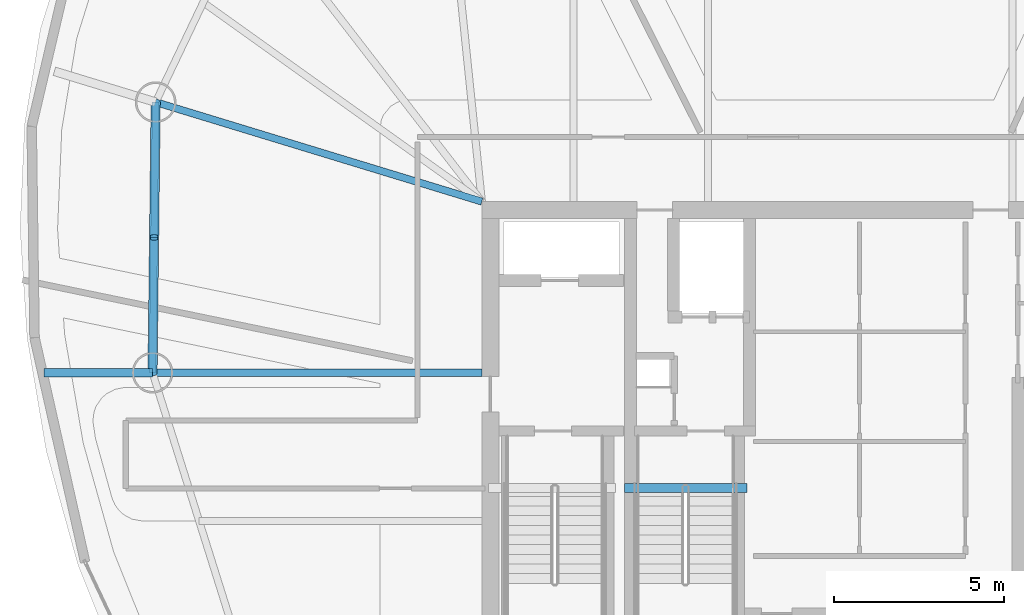
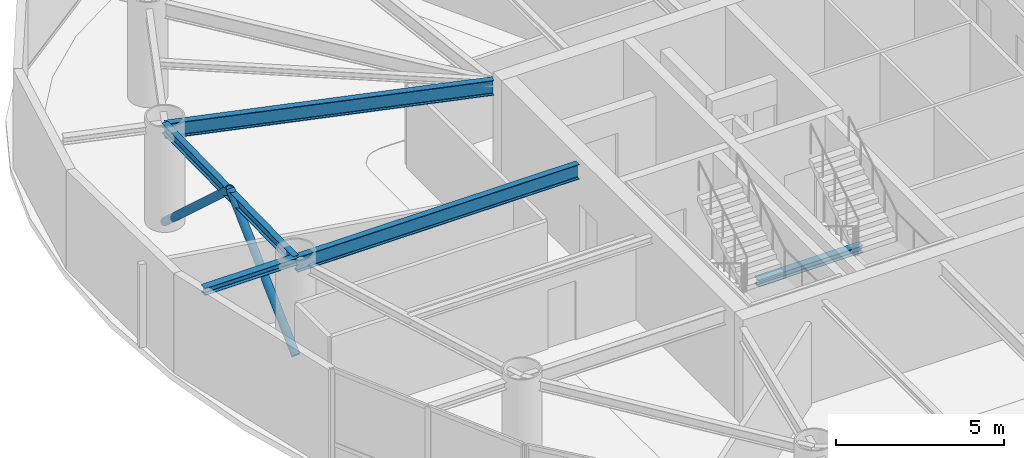
# One storey, part 5 of 20: 5 beams, 2 members.
"""IFC4 building model written with IfcOpenShell, lengths in metres."""

from ifc_helpers import new_model, si_unit, direction, frame, origin, origin_2d, place, context, subcontext, project, spatial, hollow_circle, i_section, extrude, material, material_profile, profile_set, type_object, element, save


model = new_model("IFC4")

# Units and contexts
model_context = context("Model", 3, precision=1e-05, world=origin(), true_north=direction((0.0, 1.0)))
body_context = subcontext(model_context, "Body", "Model", "MODEL_VIEW")
ifc_project = project(units=[si_unit("LENGTHUNIT", "METRE"), si_unit("AREAUNIT", "SQUARE_METRE"), si_unit("VOLUMEUNIT", "CUBIC_METRE"), si_unit("PLANEANGLEUNIT", "RADIAN"), si_unit("MASSUNIT", "GRAM", prefix="KILO")], contexts=[model_context])

# Site, building, storey
site_placement = place(None, origin())
site = spatial("IfcSite", under=ifc_project, at=site_placement, CompositionType="ELEMENT")
building_placement = place(site_placement, origin())
building = spatial("IfcBuilding", under=site, at=building_placement, Name="Bramvorn Convention Spire", CompositionType="ELEMENT")
storey_placement = place(building_placement, frame((0.0, 0.0, 202.0)))
storey = spatial("IfcBuildingStorey", under=building, at=storey_placement, Name="L51", CompositionType="ELEMENT", Elevation=202.0)

# Beams
ifc_material = material(Name="Steel CSA G40.21 Grade 350 (350W)", Category="steel")
ifc_material_profile_1 = material_profile(ifc_material, i_section(OverallWidth=0.25390625, OverallDepth=0.2529296875, WebThickness=0.008544921875, FlangeThickness=0.01416015625, FilletRadius=0.011962890625, at=origin_2d()))
ifc_profile_set_1 = profile_set([ifc_material_profile_1], Name="Steel CSA G40.21 Grade 350 (350W) - W250X73")
beam_type_1 = type_object("IfcBeamType", Name="BM-W250X73", PredefinedType="BEAM", material=ifc_profile_set_1)
beam_1_placement = place(storey_placement, frame((17.04541015625, 28.406494140625, 3.493408203125), z_axis=(-1.0, 0.0, 0.0), x_axis=(0.0, -1.0, 0.0)))
element("IfcBeam", 1, at=beam_1_placement, inside=storey, type_object=beam_type_1, Name="L51 slab-edge cantilever tip beam MC11", PredefinedType="BEAM", context=body_context, shape_type="SweptSolid", body=[
    extrude(i_section(OverallWidth=0.25390625, OverallDepth=0.2529296875, WebThickness=0.008544921875, FlangeThickness=0.01416015625, FilletRadius=0.011962890625, at=origin_2d()), origin(), (0.0, 0.0, 1.0), 3.2001953125),
])
beam_2_placement = place(storey_placement, frame((30.949951171875, 25.010009765625, -0.12646484375), z_axis=(1.0, 0.0, 0.0), x_axis=(0.0, 1.0, 0.0)))
element("IfcBeam", 2, at=beam_2_placement, inside=storey, type_object=beam_type_1, Name="L51 ST3 stair arrival header beam", PredefinedType="BEAM", context=body_context, shape_type="SweptSolid", body=[
    extrude(i_section(OverallWidth=0.25390625, OverallDepth=0.2529296875, WebThickness=0.008544921875, FlangeThickness=0.01416015625, FilletRadius=0.011962890625, at=origin_2d()), origin(), (0.0, 0.0, 1.0), 3.610107421875),
])
ifc_material_profile_2 = material_profile(ifc_material, i_section(OverallWidth=0.205078125, OverallDepth=0.35400390625, WebThickness=0.009521484375, FlangeThickness=0.016845703125, FilletRadius=0.014892578125, at=origin_2d()))
ifc_profile_set_2 = profile_set([ifc_material_profile_2], Name="Steel CSA G40.21 Grade 350 (350W) - W360X79")
beam_type_2 = type_object("IfcBeamType", Name="BM-W360X79", PredefinedType="JOIST", material=ifc_profile_set_2)
beam_3_placement = place(storey_placement, frame((17.136962890625, 36.380615234375, 3.443115234375), z_axis=(-0.011480475367, -0.999934097171, 0.0), x_axis=(0.999934097171, -0.011480475367, 0.0)))
element("IfcBeam", 3, at=beam_3_placement, inside=storey, type_object=beam_type_2, Name="L51 mega-column ring beam 10", PredefinedType="JOIST", context=body_context, shape_type="SweptSolid", body=[
    extrude(i_section(OverallWidth=0.205078125, OverallDepth=0.35400390625, WebThickness=0.009521484375, FlangeThickness=0.016845703125, FilletRadius=0.014892578125, at=origin_2d()), origin(), (0.0, 0.0, 1.0), 7.974609375),
])
ifc_material_profile_3 = material_profile(ifc_material, i_section(OverallWidth=0.2119140625, OverallDepth=0.5439453125, WebThickness=0.01318359375, FlangeThickness=0.021240234375, FilletRadius=0.01904296875, at=origin_2d()))
ifc_profile_set_3 = profile_set([ifc_material_profile_3], Name="Steel CSA G40.21 Grade 350 (350W) - W530X123")
beam_type_3 = type_object("IfcBeamType", Name="BM-W530X123", PredefinedType="BEAM", material=ifc_profile_set_3)
beam_4_placement = place(storey_placement, frame((26.75, 33.449951171875, 3.347900390625), z_axis=(-0.95653637984, 0.291613021044, 0.0), x_axis=(-0.291613021044, -0.95653637984, 0.0)))
element("IfcBeam", 4, at=beam_4_placement, inside=storey, type_object=beam_type_3, Name="L51 radial floor girder MC10", PredefinedType="BEAM", context=body_context, shape_type="SweptSolid", body=[
    extrude(i_section(OverallWidth=0.2119140625, OverallDepth=0.5439453125, WebThickness=0.01318359375, FlangeThickness=0.021240234375, FilletRadius=0.01904296875, at=origin_2d()), origin(), (0.0, 0.0, 1.0), 10.0498046875),
])
beam_5_placement = place(storey_placement, frame((26.75, 28.406494140625, 3.347900390625), z_axis=(-1.0, 0.0, 0.0), x_axis=(0.0, -1.0, 0.0)))
element("IfcBeam", 5, at=beam_5_placement, inside=storey, type_object=beam_type_3, Name="L51 radial floor girder MC11", PredefinedType="BEAM", context=body_context, shape_type="SweptSolid", body=[
    extrude(i_section(OverallWidth=0.2119140625, OverallDepth=0.5439453125, WebThickness=0.01318359375, FlangeThickness=0.021240234375, FilletRadius=0.01904296875, at=origin_2d()), origin(), (0.0, 0.0, 1.0), 9.70458984375),
])

# Members
ifc_material_profile_4 = material_profile(ifc_material, hollow_circle(Radius=0.136474609375, WallThickness=0.0126953125, at=origin_2d()))
ifc_profile_set_4 = profile_set([ifc_material_profile_4], Name="Steel CSA G40.21 Grade 350 (350W) - CHS273X13")
member_type = type_object("IfcMemberType", Name="MBR-CHS273X13", PredefinedType="BRACE", material=ifc_profile_set_4)
for number, where, z_axis, x_axis, name in (
    (6, (17.136962890625, 36.380615234375, 0.0), (-0.008522537115, -0.740327412931, 0.672192448652), (0.999933745256, -0.011511085917, 0.0), "L51 perimeter Gothic lancet brace 10A"),
    (7, (17.04541015625, 28.406494140625, 0.0), (0.008477207738, 0.740327698195, 0.672192707662), (-0.99993444815, 0.011449864785, 0.0), "L51 perimeter Gothic lancet brace 10B"),
):
    element("IfcMember", number, at=place(storey_placement, frame(where, z_axis=z_axis, x_axis=x_axis)), inside=storey, type_object=member_type, Name=name, PredefinedType="BRACE", context=body_context, shape_type="SweptSolid", body=[
        extrude(hollow_circle(Radius=0.136474609375, WallThickness=0.0126953125, at=origin_2d()), origin(), (0.0, 0.0, 1.0), 5.385498046875),
    ])

save(model, "model.ifc")
